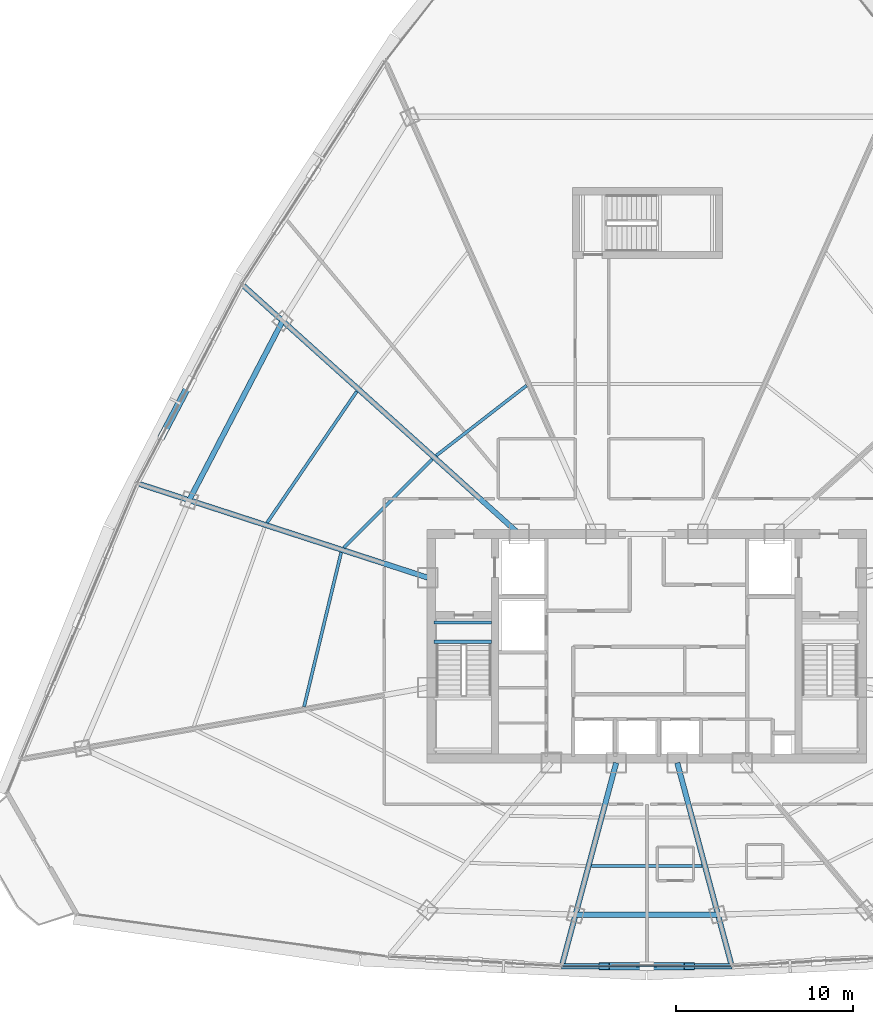
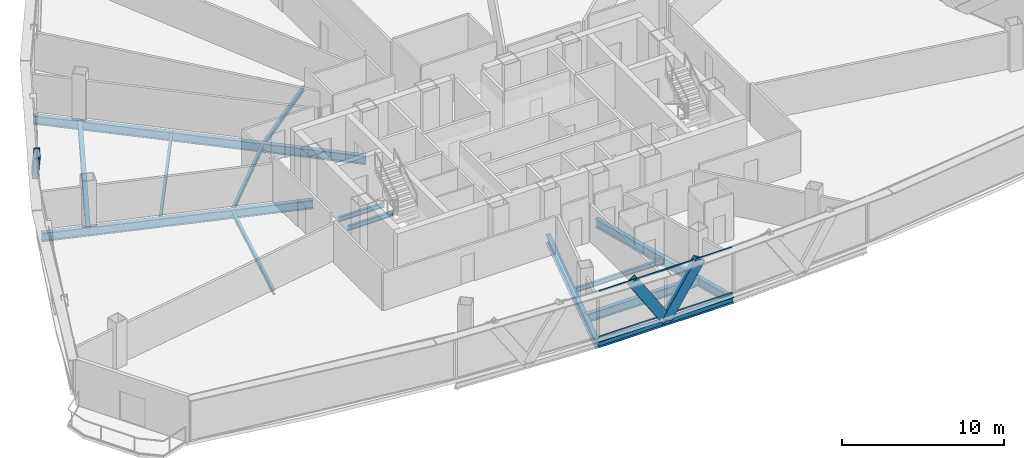
# One storey, part 9 of 34: 14 beams, 5 members, 1 element without a shape of its own.
"""IFC4 building model written with IfcOpenShell, lengths in metres."""

from ifc_helpers import new_model, si_unit, direction, frame, origin, origin_2d, place, context, subcontext, project, spatial, hollow_rectangle, i_section, extrude, source, transform, mapped, material, layer, layer_set, material_profile, profile_set, type_object, element, aggregate, save


model = new_model("IFC4")

# Units and contexts
model_context = context("Model", 3, precision=1e-05, world=origin(), true_north=direction((0.0, 1.0)))
body_context = subcontext(model_context, "Body", "Model", "MODEL_VIEW")
ifc_project = project(units=[si_unit("LENGTHUNIT", "METRE"), si_unit("AREAUNIT", "SQUARE_METRE"), si_unit("VOLUMEUNIT", "CUBIC_METRE"), si_unit("PLANEANGLEUNIT", "RADIAN"), si_unit("MASSUNIT", "GRAM", prefix="KILO"), si_unit("THERMODYNAMICTEMPERATUREUNIT", "KELVIN"), si_unit("POWERUNIT", "WATT")], contexts=[model_context])

# Site, building, storey
site_placement = place(None, origin())
site = spatial("IfcSite", under=ifc_project, at=site_placement, CompositionType="ELEMENT")
building_placement = place(site_placement, origin())
building = spatial("IfcBuilding", under=site, at=building_placement, Name="Yunzhuo Pagoda Commons", CompositionType="ELEMENT")
storey_placement = place(building_placement, frame((0.0, 0.0, 233.340087890625)))
storey = spatial("IfcBuildingStorey", under=building, at=storey_placement, Name="L58", CompositionType="ELEMENT", Elevation=233.340087890625)

# Beams
ifc_material_1 = material(Name="Structural steel Q355B", Category="steel")
ifc_material_profile_1 = material_profile(ifc_material_1, i_section(OverallWidth=0.175048828125, OverallDepth=0.35009765625, WebThickness=0.007080078125, FlangeThickness=0.010986328125, at=origin_2d()), Name="Structural steel Q355B")
ifc_profile_set_1 = profile_set([ifc_material_profile_1], Name="Structural steel Q355B")
beam_type_1 = type_object("IfcBeamType", Name="B-JS2 Joist HN 350x175x7x11", PredefinedType="JOIST", material=ifc_profile_set_1)
shared_shape_1 = source(origin(), body_context, "Body", "SweptSolid", [
    extrude(i_section(OverallWidth=0.175048828125, OverallDepth=0.35009765625, WebThickness=0.007080078125, FlangeThickness=0.010986328125, at=origin_2d()), origin(), (0.0, 0.0, 1.0), 3.25),
])
for number, where, z_axis, x_axis, name in (
    (1, (35.949951171875, 34.10009765625, -0.375), (1.0, 0.0, 0.0), (0.0, 1.0, 0.0), "L58 ST1 landing support beam 162A"),
    (2, (35.949951171875, 35.199951171875, -0.375), (1.0, 0.0, 0.0), (0.0, 1.0, 0.0), "L58 ST1 landing support beam 162B"),
):
    element("IfcBeam", number, at=place(storey_placement, frame(where, z_axis=z_axis, x_axis=x_axis)), inside=storey, type_object=beam_type_1, Name=name, PredefinedType="JOIST", context=body_context, shape_type="MappedRepresentation", body=[
        mapped(shared_shape_1, transform((0.0, 0.0, 0.0), scale=1.0)),
    ])
ifc_material_profile_2 = material_profile(ifc_material_1, i_section(OverallWidth=0.300048828125, OverallDepth=0.43994140625, WebThickness=0.010986328125, FlangeThickness=0.01806640625, at=origin_2d()), Name="Structural steel Q355B")
ifc_profile_set_2 = profile_set([ifc_material_profile_2], Name="Structural steel Q355B")
beam_type_2 = type_object("IfcBeamType", Name="B-SP2 Beam HM 440x300x11x18", PredefinedType="BEAM", material=ifc_profile_set_2)
shared_shape_2 = source(origin(), body_context, "Body", "SweptSolid", [
    extrude(i_section(OverallWidth=0.300048828125, OverallDepth=0.43994140625, WebThickness=0.010986328125, FlangeThickness=0.01806640625, at=origin_2d()), origin(), (0.0, 0.0, 1.0), 9.62841796875),
])
beam_1_placement = place(storey_placement, frame((43.185791015625, 15.7333984375, -0.47998046875), z_axis=(1.0, 0.0, 0.0), x_axis=(0.0, 1.0, 0.0)))
element("IfcBeam", 3, at=beam_1_placement, inside=storey, type_object=beam_type_2, Name="L58 facade edge spandrel beam F1.2", PredefinedType="BEAM", context=body_context, shape_type="MappedRepresentation", body=[
    mapped(shared_shape_2, transform((0.0, 0.0, 0.0), scale=1.0)),
])
ifc_material_profile_3 = material_profile(ifc_material_1, i_section(OverallWidth=0.300048828125, OverallDepth=0.64990234375, WebThickness=0.012939453125, FlangeThickness=0.02197265625, at=origin_2d()), Name="Structural steel Q355B")
ifc_profile_set_3 = profile_set([ifc_material_profile_3], Name="Structural steel Q355B")
beam_type_3 = type_object("IfcBeamType", Name="B-RG2 Beam HN 650x300x13x22", PredefinedType="BEAM", material=ifc_profile_set_3)
shared_shape_3 = source(origin(), body_context, "Body", "SweptSolid", [
    extrude(i_section(OverallWidth=0.300048828125, OverallDepth=0.64990234375, WebThickness=0.012939453125, FlangeThickness=0.02197265625, at=origin_2d()), origin(), (0.0, 0.0, 1.0), 8.06298828125),
])
beam_2_placement = place(storey_placement, frame((43.968505859375, 18.654052734375, -0.585205078125), z_axis=(1.0, 0.0, 0.0), x_axis=(0.0, 1.0, 0.0)))
element("IfcBeam", 4, at=beam_2_placement, inside=storey, type_object=beam_type_3, Name="L58 column-ring beam 2", PredefinedType="BEAM", context=body_context, shape_type="MappedRepresentation", body=[
    mapped(shared_shape_3, transform((0.0, 0.0, 0.0), scale=1.0)),
])
shared_shape_4 = source(origin(), body_context, "Body", "SweptSolid", [
    extrude(i_section(OverallWidth=0.300048828125, OverallDepth=0.64990234375, WebThickness=0.012939453125, FlangeThickness=0.02197265625, at=origin_2d()), origin(), (0.0, 0.0, 1.0), 11.43896484375),
])
beam_3_placement = place(storey_placement, frame((27.38818359375, 52.259033203125, -0.585205078125), z_axis=(-0.462142168026, -0.886805850529, 0.0), x_axis=(0.886805850529, -0.462142168026, 0.0)))
element("IfcBeam", 5, at=beam_3_placement, inside=storey, type_object=beam_type_3, Name="L58 column-ring beam 10", PredefinedType="BEAM", context=body_context, shape_type="MappedRepresentation", body=[
    mapped(shared_shape_4, transform((0.0, 0.0, 0.0), scale=1.0)),
])
shared_shape_5 = source(origin(), body_context, "Body", "SweptSolid", [
    extrude(i_section(OverallWidth=0.300048828125, OverallDepth=0.64990234375, WebThickness=0.012939453125, FlangeThickness=0.02197265625, at=origin_2d()), origin(), (0.0, 0.0, 1.0), 11.76806640625),
])
beam_4_placement = place(storey_placement, frame((43.22607421875, 15.883056640625, -0.585205078125), z_axis=(0.258829759859, 0.965922955215, 0.0), x_axis=(-0.965922955215, 0.258829759859, 0.0)))
element("IfcBeam", 6, at=beam_4_placement, inside=storey, type_object=beam_type_3, Name="L58 radial floor girder F1C2", PredefinedType="BEAM", context=body_context, shape_type="MappedRepresentation", body=[
    mapped(shared_shape_5, transform((0.0, 0.0, 0.0), scale=1.0)),
])
shared_shape_6 = source(origin(), body_context, "Body", "SweptSolid", [
    extrude(i_section(OverallWidth=0.300048828125, OverallDepth=0.64990234375, WebThickness=0.012939453125, FlangeThickness=0.02197265625, at=origin_2d()), origin(), (0.0, 0.0, 1.0), 11.767822265625),
])
beam_5_placement = place(storey_placement, frame((52.77392578125, 15.883056640625, -0.585205078125), z_axis=(-0.258791046504, 0.965933328056, 0.0), x_axis=(-0.965933328056, -0.258791046504, 0.0)))
element("IfcBeam", 7, at=beam_5_placement, inside=storey, type_object=beam_type_3, Name="L58 radial floor girder F1C3", PredefinedType="BEAM", context=body_context, shape_type="MappedRepresentation", body=[
    mapped(shared_shape_6, transform((0.0, 0.0, 0.0), scale=1.0)),
])
shared_shape_7 = source(origin(), body_context, "Body", "SweptSolid", [
    extrude(i_section(OverallWidth=0.300048828125, OverallDepth=0.64990234375, WebThickness=0.012939453125, FlangeThickness=0.02197265625, at=origin_2d()), origin(), (0.0, 0.0, 1.0), 20.974609375),
])
beam_6_placement = place(storey_placement, frame((25.19384765625, 54.23486328125, -0.585205078125), z_axis=(0.743140751916, -0.669135130479, 0.0), x_axis=(0.669135130479, 0.743140751916, 0.0)))
element("IfcBeam", 8, at=beam_6_placement, inside=storey, type_object=beam_type_3, Name="L58 radial floor girder F3C2", PredefinedType="BEAM", context=body_context, shape_type="MappedRepresentation", body=[
    mapped(shared_shape_7, transform((0.0, 0.0, 0.0), scale=1.0)),
])
shared_shape_8 = source(origin(), body_context, "Body", "SweptSolid", [
    extrude(i_section(OverallWidth=0.300048828125, OverallDepth=0.64990234375, WebThickness=0.012939453125, FlangeThickness=0.02197265625, at=origin_2d()), origin(), (0.0, 0.0, 1.0), 17.135498046875),
])
beam_7_placement = place(storey_placement, frame((19.30322265625, 43.024169921875, -0.585205078125), z_axis=(0.951056681956, -0.309016484524, 0.0), x_axis=(0.309016484524, 0.951056681956, 0.0)))
element("IfcBeam", 9, at=beam_7_placement, inside=storey, type_object=beam_type_3, Name="L58 radial floor girder F3C3", PredefinedType="BEAM", context=body_context, shape_type="MappedRepresentation", body=[
    mapped(shared_shape_8, transform((0.0, 0.0, 0.0), scale=1.0)),
])
shared_shape_9 = source(origin(), body_context, "Body", "SweptSolid", [
    extrude(i_section(OverallWidth=0.175048828125, OverallDepth=0.35009765625, WebThickness=0.007080078125, FlangeThickness=0.010986328125, at=origin_2d()), origin(), (0.0, 0.0, 1.0), 6.27099609375),
])
beam_8_placement = place(storey_placement, frame((44.864501953125, 21.40478515625, -0.43505859375), z_axis=(1.0, 0.0, 0.0), x_axis=(0.0, 1.0, 0.0)))
element("IfcBeam", 10, at=beam_8_placement, inside=storey, type_object=beam_type_1, Name="L58 composite ring joist 2.2", PredefinedType="JOIST", context=body_context, shape_type="MappedRepresentation", body=[
    mapped(shared_shape_9, transform((0.0, 0.0, 0.0), scale=1.0)),
])
shared_shape_10 = source(origin(), body_context, "Body", "SweptSolid", [
    extrude(i_section(OverallWidth=0.175048828125, OverallDepth=0.35009765625, WebThickness=0.007080078125, FlangeThickness=0.010986328125, at=origin_2d()), origin(), (0.0, 0.0, 1.0), 8.973876953125),
])
beam_9_placement = place(storey_placement, frame((30.703369140625, 39.1533203125, -0.43505859375), z_axis=(-0.233807152827, -0.972282991359, 0.0), x_axis=(0.972282991359, -0.233807152827, 0.0)))
element("IfcBeam", 11, at=beam_9_placement, inside=storey, type_object=beam_type_1, Name="L58 composite ring joist 1.11", PredefinedType="JOIST", context=body_context, shape_type="MappedRepresentation", body=[
    mapped(shared_shape_10, transform((0.0, 0.0, 0.0), scale=1.0)),
])
shared_shape_11 = source(origin(), body_context, "Body", "SweptSolid", [
    extrude(i_section(OverallWidth=0.175048828125, OverallDepth=0.35009765625, WebThickness=0.007080078125, FlangeThickness=0.010986328125, at=origin_2d()), origin(), (0.0, 0.0, 1.0), 7.0732421875),
])
beam_10_placement = place(storey_placement, frame((35.847412109375, 44.4287109375, -0.43505859375), z_axis=(-0.706139657206, -0.708072584218, 0.0), x_axis=(0.708072584218, -0.706139657206, 0.0)))
element("IfcBeam", 12, at=beam_10_placement, inside=storey, type_object=beam_type_1, Name="L58 composite ring joist 1.10", PredefinedType="JOIST", context=body_context, shape_type="MappedRepresentation", body=[
    mapped(shared_shape_11, transform((0.0, 0.0, 0.0), scale=1.0)),
])
shared_shape_12 = source(origin(), body_context, "Body", "SweptSolid", [
    extrude(i_section(OverallWidth=0.175048828125, OverallDepth=0.35009765625, WebThickness=0.007080078125, FlangeThickness=0.010986328125, at=origin_2d()), origin(), (0.0, 0.0, 1.0), 8.99365234375),
])
beam_11_placement = place(storey_placement, frame((31.583984375, 48.268798828125, -0.43505859375), z_axis=(-0.564098900337, -0.825707230584, 0.0), x_axis=(0.825707230584, -0.564098900337, 0.0)))
element("IfcBeam", 13, at=beam_11_placement, inside=storey, type_object=beam_type_1, Name="L58 composite ring joist 2.10", PredefinedType="JOIST", context=body_context, shape_type="MappedRepresentation", body=[
    mapped(shared_shape_12, transform((0.0, 0.0, 0.0), scale=1.0)),
])
shared_shape_13 = source(origin(), body_context, "Body", "SweptSolid", [
    extrude(i_section(OverallWidth=0.175048828125, OverallDepth=0.35009765625, WebThickness=0.007080078125, FlangeThickness=0.010986328125, at=origin_2d()), origin(), (0.0, 0.0, 1.0), 6.4677734375),
])
beam_12_placement = place(storey_placement, frame((41.19580078125, 48.602783203125, -0.43505859375), z_axis=(-0.790160481991, -0.612900002202, 0.0), x_axis=(0.612900002202, -0.790160481991, 0.0)))
element("IfcBeam", 14, at=beam_12_placement, inside=storey, type_object=beam_type_1, Name="L58 composite ring joist 1.9", PredefinedType="JOIST", context=body_context, shape_type="MappedRepresentation", body=[
    mapped(shared_shape_13, transform((0.0, 0.0, 0.0), scale=1.0)),
])

# Members
ifc_material_profile_4 = material_profile(ifc_material_1, hollow_rectangle(XDim=0.39990234375, YDim=0.719970703125, WallThickness=0.02392578125, at=origin_2d()), Name="Structural steel Q355B")
ifc_profile_set_4 = profile_set([ifc_material_profile_4], Name="Structural steel Q355B")
member_type_1 = type_object("IfcMemberType", Name="M-DL2 Brace BOX 720x400x24", PredefinedType="BRACE", material=ifc_profile_set_4)
shared_shape_14 = source(origin(), body_context, "Body", "SweptSolid", [
    extrude(hollow_rectangle(XDim=0.39990234375, YDim=0.719970703125, WallThickness=0.02392578125, at=origin_2d()), origin(), (0.0, 0.0, 1.0), 4.439208984375),
])
for number, where, z_axis, x_axis, name in (
    (15, (48.0, 15.7333984375, -0.260009765625), (-0.542213302019, 0.0, 0.840240879221), (0.0, -1.0, 0.0), "L58 facade diamond brace F1.2L"),
    (16, (48.0, 15.7333984375, -0.260009765625), (0.542213302019, 0.0, 0.840240879221), (0.0, 1.0, 0.0), "L58 facade diamond brace F1.2R"),
):
    element("IfcMember", number, at=place(storey_placement, frame(where, z_axis=z_axis, x_axis=x_axis)), inside=storey, type_object=member_type_1, Name=name, PredefinedType="BRACE", context=body_context, shape_type="MappedRepresentation", body=[
        mapped(shared_shape_14, transform((0.0, 0.0, 0.0), scale=1.0)),
    ])
shared_shape_15 = source(origin(), body_context, "Body", "SweptSolid", [
    extrude(hollow_rectangle(XDim=0.39990234375, YDim=0.719970703125, WallThickness=0.02392578125, at=origin_2d()), origin(), (0.0, 0.0, 1.0), 4.903076171875),
])
member_1_placement = place(storey_placement, frame((22.117431640625, 48.705322265625, -0.260009765625), z_axis=(-0.302050581027, -0.57447371469, 0.760753177865), x_axis=(0.885111192899, -0.465379604414, 0.0)))
element("IfcMember", 17, at=member_1_placement, inside=storey, type_object=member_type_1, Name="L58 facade diamond brace F3.2R", PredefinedType="BRACE", context=body_context, shape_type="MappedRepresentation", body=[
    mapped(shared_shape_15, transform((0.0, 0.0, 0.0), scale=1.0)),
])

# Curtain wall, members
ifc_material_2 = material(Name="Anodized aluminium 6063-T6", Category="aluminium")
ifc_layer = layer(ifc_material_2, 0.139892578125)
ifc_layer_set = layer_set([ifc_layer], Name="Anodized aluminium 6063-T6")
curtain_wall_type = type_object("IfcCurtainWallType", Name="CW-HI High-Zone Ribbon Curtain Wall", PredefinedType="NOTDEFINED", material=ifc_layer_set)
curtain_wall_placement = place(storey_placement, origin())
curtain_wall = element("IfcCurtainWall", 18, at=curtain_wall_placement, inside=storey, type_object=curtain_wall_type, Name="L58 curtain wall CW-L58-F1B3", PredefinedType="NOTDEFINED")
ifc_material_profile_5 = material_profile(ifc_material_2, hollow_rectangle(XDim=0.054931640625, YDim=0.1201171875, WallThickness=0.00341796875, at=origin_2d()), Name="Anodized aluminium 6063-T6")
ifc_profile_set_5 = profile_set([ifc_material_profile_5], Name="Anodized aluminium 6063-T6")
member_type_2 = type_object("IfcMemberType", Name="CW-HI-T Transom RHS 120x55x3.5", PredefinedType="USERDEFINED", material=ifc_profile_set_5)
shared_shape_16 = source(origin(), body_context, "Body", "SweptSolid", [
    extrude(hollow_rectangle(XDim=0.054931640625, YDim=0.1201171875, WallThickness=0.00341796875, at=origin_2d()), origin(), (0.0, 0.0, 1.0), 9.50830078125),
])
member_2_placement = place(storey_placement, frame((43.245849609375, 15.7333984375, 0.02734375), z_axis=(1.0, 0.0, 0.0), x_axis=(0.0, 1.0, 0.0)))
member_2 = element("IfcMember", 19, at=member_2_placement, type_object=member_type_2, Name="CW transom 1.1", ObjectType="TRANSOM", PredefinedType="USERDEFINED", context=body_context, shape_type="MappedRepresentation", body=[
    mapped(shared_shape_16, transform((0.0, 0.0, 0.0), scale=1.0)),
])
member_3_placement = place(storey_placement, frame((43.245849609375, 15.7333984375, 3.4423828125), z_axis=(1.0, 0.0, 0.0), x_axis=(0.0, 1.0, 0.0)))
member_3 = element("IfcMember", 20, at=member_3_placement, type_object=member_type_2, Name="CW transom 1.2", ObjectType="TRANSOM", PredefinedType="USERDEFINED", context=body_context, shape_type="MappedRepresentation", body=[
    mapped(shared_shape_16, transform((0.0, 0.0, 0.0), scale=1.0)),
])
aggregate(curtain_wall, [member_2, member_3])

save(model, "model.ifc")
